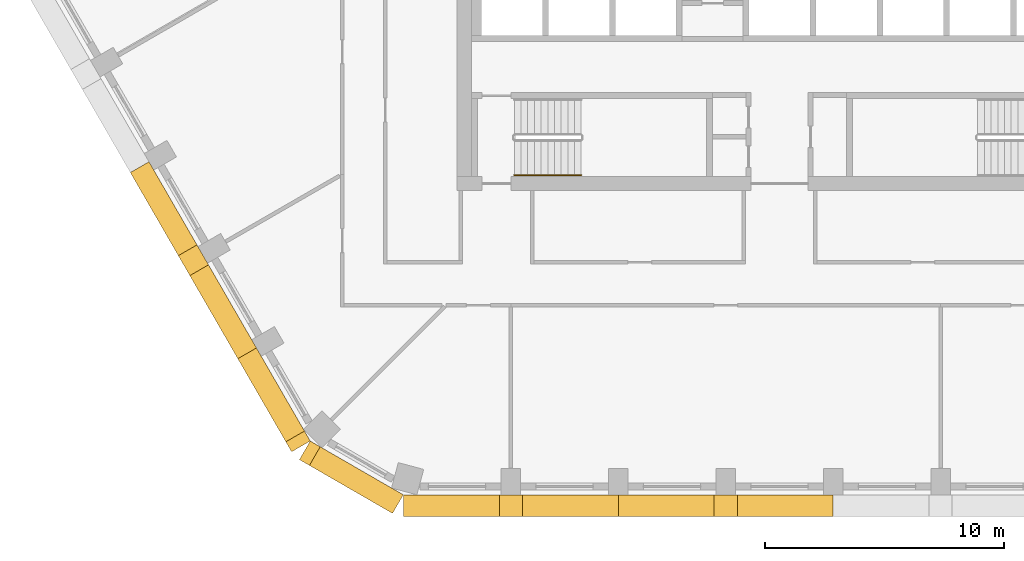
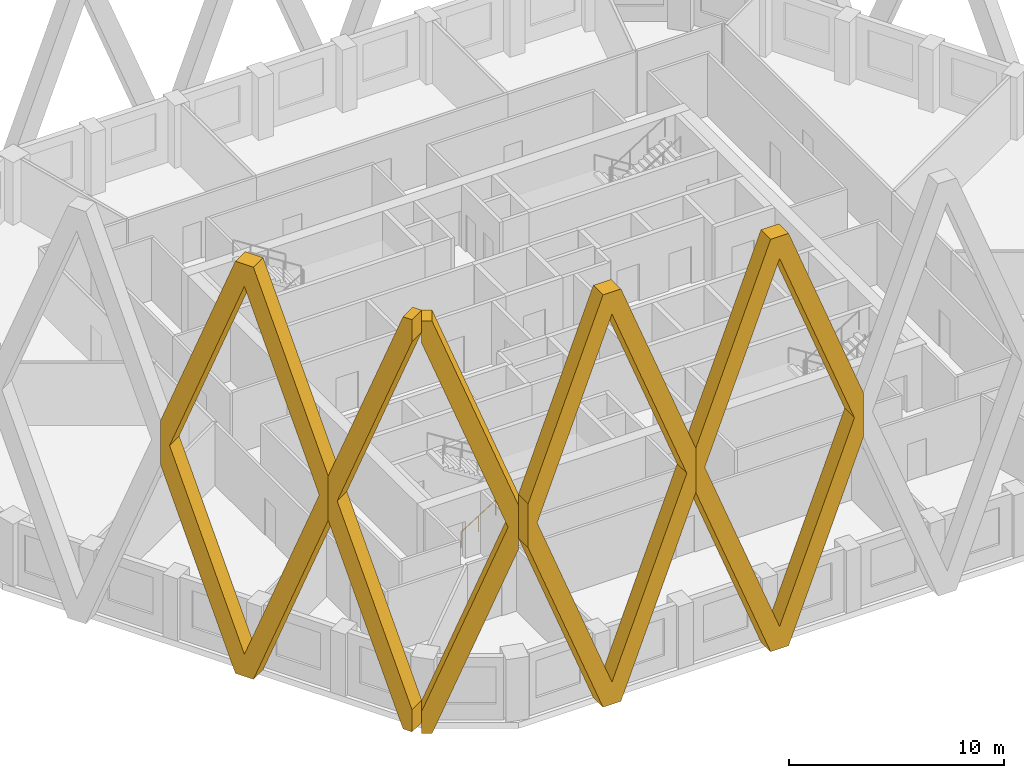
# One storey, part 9 of 16: 5 coverings, 1 railing.
"""IFC4 building model written with IfcOpenShell, lengths in metres."""

from ifc_helpers import new_model, si_unit, direction, frame, origin, origin_2d, place, context, subcontext, project, spatial, polyline, circle, outline, extrude, material, type_object, element, save


model = new_model("IFC4")

# Units and contexts
model_context = context("Model", 3, precision=1e-05, world=origin(), true_north=direction((0.0, 1.0)))
body_context = subcontext(model_context, "Body", "Model", "MODEL_VIEW")
ifc_project = project(units=[si_unit("LENGTHUNIT", "METRE"), si_unit("AREAUNIT", "SQUARE_METRE"), si_unit("VOLUMEUNIT", "CUBIC_METRE"), si_unit("PLANEANGLEUNIT", "RADIAN"), si_unit("MASSUNIT", "GRAM", prefix="KILO")], contexts=[model_context])

# Site, building, storey
site_placement = place(None, origin())
site = spatial("IfcSite", under=ifc_project, at=site_placement, CompositionType="ELEMENT")
building_placement = place(site_placement, origin())
building = spatial("IfcBuilding", under=site, at=building_placement, Name="Dhurran Vertical Campus", CompositionType="ELEMENT")
storey_placement = place(building_placement, frame((0.0, 0.0, 183.89990234375)))
storey = spatial("IfcBuildingStorey", under=building, at=storey_placement, Name="L45", CompositionType="ELEMENT", Elevation=183.89990234375)

# Coverings
ifc_material_1 = material(Name="Precast concrete C50/60", Category="concrete")
covering_type = type_object("IfcCoveringType", Name="Folded precast fin lattice diamond", PredefinedType="USERDEFINED", material=ifc_material_1)
for number, where, z_axis, x_axis, name in (
    (1, (-15.75, -23.985595703125, 0.0), (0.0, -1.0, 0.0), (1.0, 0.0, 0.0), "FN1 L45.001"),
    (2, (-6.75, -23.985595703125, 0.0), (0.0, -1.0, 0.0), (1.0, 0.0, 0.0), "FN1 L45.002"),
    (3, (-26.397216796875, -10.044189453125, 0.0), (-0.866013897511, -0.50001992892, 0.0), (0.50001992892, -0.866013897511, 0.0), "FN1 L45.024"),
):
    element("IfcCovering", number, at=place(storey_placement, frame(where, z_axis=z_axis, x_axis=x_axis)), inside=storey, type_object=covering_type, Name=name, ObjectType="FIN", PredefinedType="USERDEFINED", context=body_context, shape_type="SweptSolid", body=[
        extrude(outline(polyline([(9.0, 12.95361328125), (9.0, 10.4462890625), (4.982177734375, 0.0), (4.017822265625, 0.0), (0.0, 10.4462890625), (0.0, 12.95361328125), (4.017822265625, 23.39990234375), (4.982177734375, 23.39990234375), (9.0, 12.95361328125)]), holes=[polyline([(8.517822265625, 11.699951171875), (4.5, 22.146484375), (0.482177734375, 11.699951171875), (4.5, 1.253662109375), (8.517822265625, 11.699951171875)])]), origin(), (0.0, 0.0, 1.0), 0.89990234375),
    ])
covering_1_placement = place(storey_placement, frame((-21.897216796875, -17.83837890625, 0.0), z_axis=(-0.865896406789, -0.500223362819, 0.0), x_axis=(0.500223362819, -0.865896406789, 0.0)))
element("IfcCovering", 4, at=covering_1_placement, inside=storey, type_object=covering_type, Name="FN1 L45.025", ObjectType="FIN", PredefinedType="USERDEFINED", context=body_context, shape_type="SweptSolid", body=[
    extrude(outline(polyline([(4.017822265625, 0.0), (0.0, 10.4462890625), (0.0, 12.95361328125), (4.017822265625, 23.39990234375), (4.5, 23.39990234375), (4.5, 22.146484375), (0.482177734375, 11.699951171875), (4.5, 1.253662109375), (4.5, 0.0), (4.017822265625, 0.0)])), origin(), (0.0, 0.0, 1.0), 0.89990234375),
])
covering_2_placement = place(storey_placement, frame((-19.647216796875, -21.735595703125, 0.0), z_axis=(-0.50001992892, -0.866013897511, 0.0), x_axis=(0.866013897511, -0.50001992892, 0.0)))
element("IfcCovering", 5, at=covering_2_placement, inside=storey, type_object=covering_type, Name="FN1 L45.026", ObjectType="FIN", PredefinedType="USERDEFINED", context=body_context, shape_type="SweptSolid", body=[
    extrude(outline(polyline([(4.5, 10.4462890625), (0.482177734375, 0.0), (0.0, 0.0), (0.0, 1.253662109375), (4.017822265625, 11.699951171875), (0.0, 22.146484375), (0.0, 23.39990234375), (0.482177734375, 23.39990234375), (4.5, 12.95361328125), (4.5, 10.4462890625)])), origin(), (0.0, 0.0, 1.0), 0.89990234375),
])

# Railing
ifc_material_2 = material(Name="Stainless steel handrail", Category="steel")
railing_type = type_object("IfcRailingType", Name="co-RL-HANDRAIL-900", PredefinedType="HANDRAIL", material=ifc_material_2)
railing_placement = place(storey_placement, frame((-11.10009765625, -10.60009765625, 0.177490234375)))
element("IfcRailing", 6, at=railing_placement, inside=storey, type_object=railing_type, Name="L45 ST3 stair handrail 1", PredefinedType="HANDRAIL", context=body_context, shape_type="SweptSolid", body=[
    extrude(circle(Radius=0.02392578125, at=origin_2d()), frame((0.0, 0.0, 0.8759765625), z_axis=(0.844908973607, 0.0, 0.534910110503), x_axis=(0.0, 1.0, 0.0)), (0.0, 0.0, 1.0), 3.31396484375),
    extrude(circle(Radius=0.02099609375, at=origin_2d()), origin(), (0.0, 0.0, 1.0), 0.851806640625),
    extrude(circle(Radius=0.02099609375, at=origin_2d()), frame((0.933349609375, 0.0, 0.5908203125)), (0.0, 0.0, 1.0), 0.851806640625),
    extrude(circle(Radius=0.02099609375, at=origin_2d()), frame((1.86669921875, 0.0, 1.181884765625)), (0.0, 0.0, 1.0), 0.851806640625),
    extrude(circle(Radius=0.02099609375, at=origin_2d()), frame((2.800048828125, 0.0, 1.772705078125)), (0.0, 0.0, 1.0), 0.851806640625),
])

save(model, "model.ifc")
